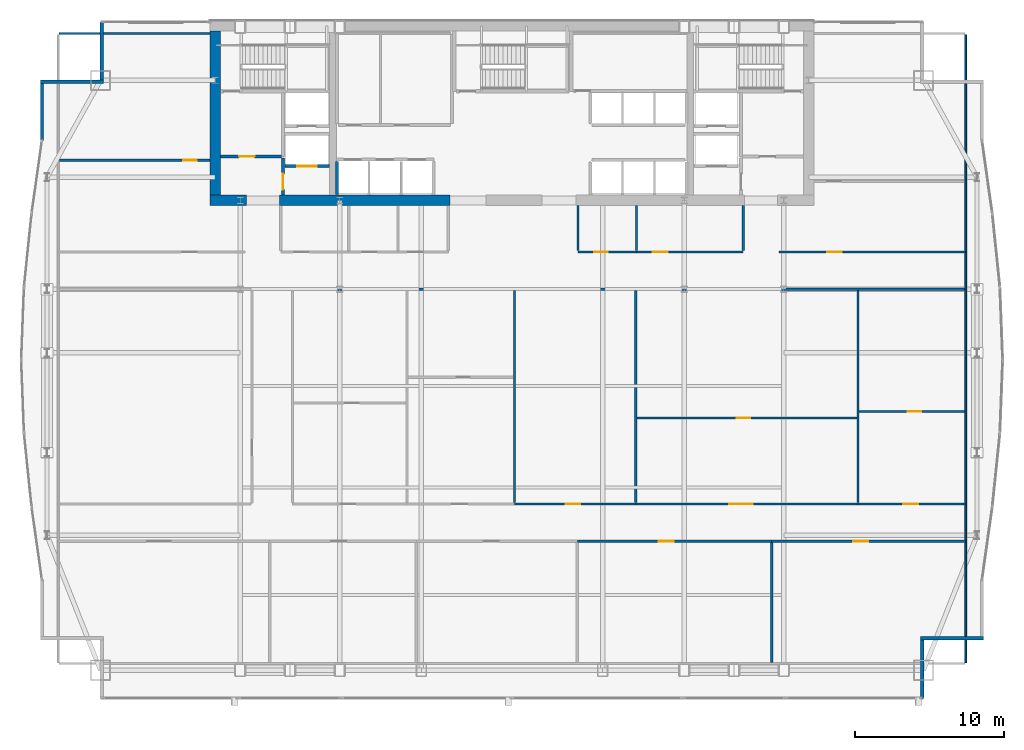
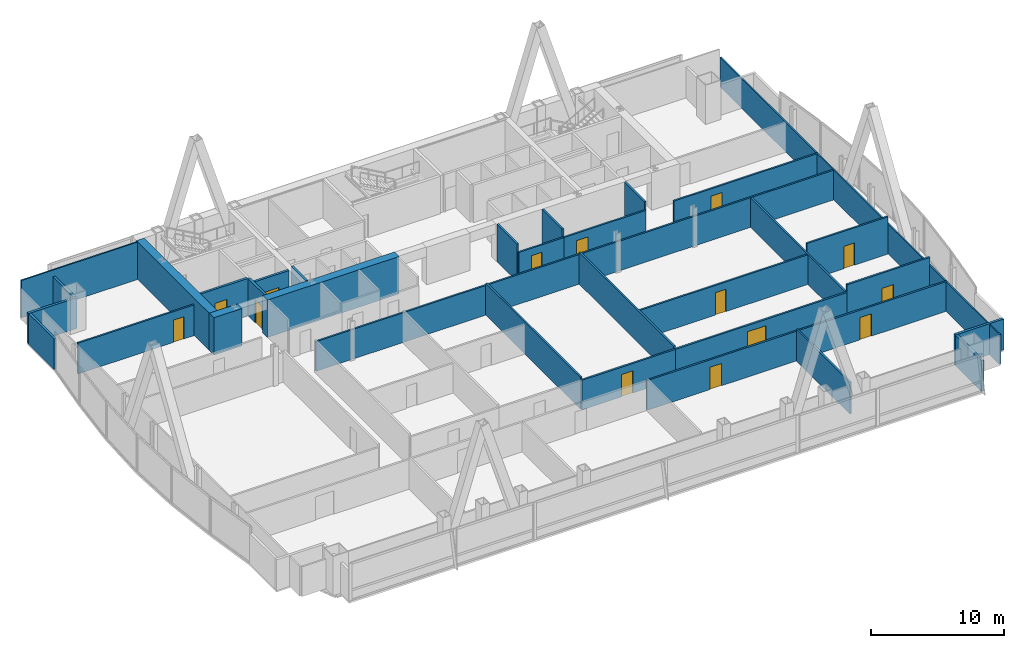
# One storey, part 26 of 30: 33 walls, 14 doors, 14 openings.
"""IFC4 building model written with IfcOpenShell, lengths in metres."""

from ifc_helpers import new_model, si_unit, direction, frame, frame_2d, origin, place, context, subcontext, project, spatial, rectangle, extrude, material, layer, layer_set, type_object, element, fill, save


model = new_model("IFC4")

# Units and contexts
model_context = context("Model", 3, precision=1e-05, world=origin(), true_north=direction((0.0, 1.0)))
body_context = subcontext(model_context, "Body", "Model", "MODEL_VIEW")
ifc_project = project(units=[si_unit("LENGTHUNIT", "METRE"), si_unit("AREAUNIT", "SQUARE_METRE"), si_unit("VOLUMEUNIT", "CUBIC_METRE"), si_unit("PLANEANGLEUNIT", "RADIAN"), si_unit("MASSUNIT", "GRAM", prefix="KILO")], contexts=[model_context])

# Site, building, storey
site_placement = place(None, origin())
site = spatial("IfcSite", under=ifc_project, at=site_placement, CompositionType="ELEMENT")
building_placement = place(site_placement, origin())
building = spatial("IfcBuilding", under=site, at=building_placement, Name="Khoronbel Lancet Exchange", CompositionType="ELEMENT")
storey_placement = place(building_placement, frame((0.0, 0.0, 147.0)))
storey = spatial("IfcBuildingStorey", under=building, at=storey_placement, Name="L36", CompositionType="ELEMENT", Elevation=147.0)

# Walls
ifc_material_1 = material(Name="Concrete C80/95", Category="concrete")
ifc_layer_1 = layer(ifc_material_1, 0.699951171875, Name="Concrete C80/95")
ifc_layer_set_1 = layer_set([ifc_layer_1], Name="Concrete C80/95")
wall_type_1 = type_object("IfcWallType", Name="WL-CW2", PredefinedType="SHEAR", material=ifc_layer_set_1)
wall_1_placement = place(storey_placement, frame((16.550048828125, 42.0, 0.0), z_axis=(0.0, 0.0, 1.0), x_axis=(0.0, 1.0, 0.0)))
element("IfcWall", 1, at=wall_1_placement, inside=storey, type_object=wall_type_1, Name="Level L36 rear core west shear wall", PredefinedType="SHEAR", context=body_context, shape_type="SweptSolid", body=[
    extrude(rectangle(XDim=11.0, YDim=0.699951171875, at=frame_2d((5.5, 0.0))), origin(), (0.0, 0.0, 1.0), 3.43994140625),
])
wall_2_placement = place(storey_placement, frame((18.64990234375, 41.64990234375, 0.0), z_axis=(0.0, 0.0, 1.0), x_axis=(-1.0, 0.0, 0.0)))
element("IfcWall", 2, at=wall_2_placement, inside=storey, type_object=wall_type_1, Name="Level L36 rear core south shear wall pier P1", PredefinedType="SHEAR", context=body_context, shape_type="SweptSolid", body=[
    extrude(rectangle(XDim=2.449951171875, YDim=0.699951171875, at=frame_2d((1.22509765625, 0.0))), origin(), (0.0, 0.0, 1.0), 3.43994140625),
])
wall_3_placement = place(storey_placement, frame((32.300048828125, 41.64990234375, 0.0), z_axis=(0.0, 0.0, 1.0), x_axis=(-1.0, 0.0, 0.0)))
element("IfcWall", 3, at=wall_3_placement, inside=storey, type_object=wall_type_1, Name="Level L36 rear core south shear wall pier P2", PredefinedType="SHEAR", context=body_context, shape_type="SweptSolid", body=[
    extrude(rectangle(XDim=11.449951171875, YDim=0.699951171875, at=frame_2d((5.72509765625, 0.0))), origin(), (0.0, 0.0, 1.0), 3.43994140625),
])
ifc_material_2 = material(Name="Precast concrete C40/50", Category="concrete")
ifc_layer_2 = layer(ifc_material_2, 0.25, Name="Precast concrete C40/50")
ifc_layer_set_2 = layer_set([ifc_layer_2], Name="Precast concrete C40/50")
wall_type_2 = type_object("IfcWallType", Name="WL-EXT250", PredefinedType="SOLIDWALL", material=ifc_layer_set_2)
wall_4_placement = place(storey_placement, frame((4.93994140625, 45.673583984375, 0.0), z_axis=(0.0, 0.0, 1.0), x_axis=(0.0, 1.0, 0.0)))
element("IfcWall", 4, at=wall_4_placement, inside=storey, type_object=wall_type_2, Name="Level L36 notched-corner limestone pier 10", PredefinedType="SOLIDWALL", context=body_context, shape_type="SweptSolid", body=[
    extrude(rectangle(XDim=3.826416015625, YDim=0.219970703125, at=frame_2d((1.9130859375, 0.0))), origin(), (0.0, 0.0, 1.0), 2.830078125),
])
wall_5_placement = place(storey_placement, frame((4.830078125, 49.610107421875, 0.0), z_axis=(0.0, 0.0, 1.0), x_axis=(1.0, 0.0, 0.0)))
element("IfcWall", 5, at=wall_5_placement, inside=storey, type_object=wall_type_2, Name="Level L36 notched-corner limestone pier 11", PredefinedType="SOLIDWALL", context=body_context, shape_type="SweptSolid", body=[
    extrude(rectangle(XDim=4.219970703125, YDim=0.219970703125, at=frame_2d((2.10986328125, 0.0))), origin(), (0.0, 0.0, 1.0), 2.830078125),
])
wall_6_placement = place(storey_placement, frame((8.93994140625, 49.719970703125, 0.0), z_axis=(0.0, 0.0, 1.0), x_axis=(0.0, 1.0, 0.0)))
element("IfcWall", 6, at=wall_6_placement, inside=storey, type_object=wall_type_2, Name="Level L36 notched-corner limestone pier 12", PredefinedType="SOLIDWALL", context=body_context, shape_type="SweptSolid", body=[
    extrude(rectangle(XDim=3.909912109375, YDim=0.219970703125, at=frame_2d((1.955078125, 0.0))), origin(), (0.0, 0.0, 1.0), 2.830078125),
])
wall_7_placement = place(storey_placement, frame((68.070068359375, 12.2900390625, 0.0), z_axis=(0.0, 0.0, 1.0), x_axis=(-1.0, 0.0, 0.0)))
element("IfcWall", 7, at=wall_7_placement, inside=storey, type_object=wall_type_2, Name="Level L36 notched-corner limestone pier 24", PredefinedType="SOLIDWALL", context=body_context, shape_type="SweptSolid", body=[
    extrude(rectangle(XDim=4.219970703125, YDim=0.219970703125, at=frame_2d((2.10986328125, 0.0))), origin(), (0.0, 0.0, 1.0), 2.830078125),
])
wall_8_placement = place(storey_placement, frame((63.9599609375, 12.179931640625, 0.0), z_axis=(0.0, 0.0, 1.0), x_axis=(0.0, -1.0, 0.0)))
element("IfcWall", 8, at=wall_8_placement, inside=storey, type_object=wall_type_2, Name="Level L36 notched-corner limestone pier 25", PredefinedType="SOLIDWALL", context=body_context, shape_type="SweptSolid", body=[
    extrude(rectangle(XDim=3.909912109375, YDim=0.219970703125, at=frame_2d((1.955078125, 0.0))), origin(), (0.0, 0.0, 1.0), 2.830078125),
])
ifc_material_3 = material(Name="Acoustic Metal-Stud & Mineral-Wool Gypsum Partition 120 mm", Category="gypsum")
ifc_layer_3 = layer(ifc_material_3, 0.1201171875, Name="Acoustic Metal-Stud & Mineral-Wool Gypsum Partition 120 mm")
ifc_layer_set_3 = layer_set([ifc_layer_3], Name="Acoustic Metal-Stud & Mineral-Wool Gypsum Partition 120 mm")
wall_type_3 = type_object("IfcWallType", Name="WL-PRT120", PredefinedType="PARTITIONING", material=ifc_layer_set_3)
for number, where, z_axis, x_axis, name in (
    (9, (40.8798828125, 38.280029296875, 0.0), (0.0, 0.0, 1.0), (0.0, 1.0, 0.0), "Level L36 interior partition PW-NP-0"),
    (10, (44.800048828125, 38.280029296875, 0.0), (0.0, 0.0, 1.0), (0.0, 1.0, 0.0), "Level L36 interior partition PW-NP-M"),
    (11, (51.949951171875, 38.280029296875, 0.0), (0.0, 0.0, 1.0), (0.0, 1.0, 0.0), "Level L36 interior partition PW-NP-1"),
):
    element("IfcWall", number, at=place(storey_placement, frame(where, z_axis=z_axis, x_axis=x_axis)), inside=storey, type_object=wall_type_3, Name=name, PredefinedType="PARTITIONING", context=body_context, shape_type="SweptSolid", body=[
        extrude(rectangle(XDim=3.02001953125, YDim=0.14990234375, at=frame_2d((1.510009765625, 0.0))), origin(), (0.0, 0.0, 1.0), 3.43994140625),
    ])

# Wall, opening, door
wall_9_placement = place(storey_placement, frame((6.094970703125, 44.35009765625, 0.0), z_axis=(0.0, 0.0, 1.0), x_axis=(1.0, 0.0, 0.0)))
wall_9 = element("IfcWall", 12, at=wall_9_placement, inside=storey, type_object=wall_type_3, Name="Level L36 interior partition PW-NW-H", PredefinedType="PARTITIONING", context=body_context, shape_type="SweptSolid", body=[
    extrude(rectangle(XDim=10.10498046875, YDim=0.14990234375, at=frame_2d((5.052490234375, 0.0))), origin(), (0.0, 0.0, 1.0), 2.830078125),
])
opening_1_placement = place(wall_9_placement, frame((8.320068359375, 0.0, 0.0)))
opening_1 = element("IfcOpeningElement", 13, at=opening_1_placement, cuts=wall_9, Name="Opening D5", PredefinedType="OPENING", context=body_context, shape_type="SweptSolid", body=[
    extrude(rectangle(XDim=0.89990234375, YDim=2.050048828125, at=frame_2d((0.449951171875, 1.02490234375))), frame((0.0, 0.0849609375, 0.0), z_axis=(0.0, -1.0, 0.0), x_axis=(1.0, 0.0, 0.0)), (0.0, 0.0, 1.0), 0.169921875),
])
ifc_material_4 = material(Name="Acoustic Timber Pantry & Support Door", Category="wood")
door_type_1 = type_object("IfcDoorType", Name="DR-D5", OperationType="NOTDEFINED", PredefinedType="DOOR", material=ifc_material_4)
door_1_placement = place(opening_1_placement, origin())
door_1 = element("IfcDoor", 14, at=door_1_placement, inside=storey, type_object=door_type_1, Name="NW north room door L36-1", OperationType="SINGLE_SWING_RIGHT", OverallHeight=2.050048828125, OverallWidth=0.89990234375, PredefinedType="DOOR", context=body_context, shape_type="SweptSolid", body=[
    extrude(rectangle(XDim=0.89990234375, YDim=2.050048828125, at=frame_2d((0.449951171875, 1.02490234375))), frame((0.0, 0.02490234375, 0.0), z_axis=(0.0, -1.0, 0.0), x_axis=(1.0, 0.0, 0.0)), (0.0, 0.0, 1.0), 0.050048828125),
])
fill(opening_1, door_1)

wall_10_placement = place(storey_placement, frame((44.831298828125, 27.06005859375, 0.0), z_axis=(0.0, 0.0, 1.0), x_axis=(1.0, 0.0, 0.0)))
wall_10 = element("IfcWall", 15, at=wall_10_placement, inside=storey, type_object=wall_type_3, Name="Level L36 interior partition PW-Z2N-H4", PredefinedType="PARTITIONING", context=body_context, shape_type="SweptSolid", body=[
    extrude(rectangle(XDim=14.736328125, YDim=0.14990234375, at=frame_2d((7.3681640625, 0.0))), origin(), (0.0, 0.0, 1.0), 2.72998046875),
])
opening_2_placement = place(wall_10_placement, frame((6.703369140625, 0.0, 0.0)))
opening_2 = element("IfcOpeningElement", 16, at=opening_2_placement, cuts=wall_10, Name="Opening D5", PredefinedType="OPENING", context=body_context, shape_type="SweptSolid", body=[
    extrude(rectangle(XDim=0.89990234375, YDim=2.050048828125, at=frame_2d((0.449951171875, 1.02490234375))), frame((0.0, 0.0849609375, 0.0), z_axis=(0.0, -1.0, 0.0), x_axis=(1.0, 0.0, 0.0)), (0.0, 0.0, 1.0), 0.169921875),
])
door_2_placement = place(opening_2_placement, origin())
door_2 = element("IfcDoor", 17, at=door_2_placement, inside=storey, type_object=door_type_1, Name="Z2N inner door 4 L36-1", OperationType="SINGLE_SWING_RIGHT", OverallHeight=2.050048828125, OverallWidth=0.89990234375, PredefinedType="DOOR", context=body_context, shape_type="SweptSolid", body=[
    extrude(rectangle(XDim=0.89990234375, YDim=2.050048828125, at=frame_2d((0.449951171875, 1.02490234375))), frame((0.0, 0.02490234375, 0.0), z_axis=(0.0, -1.0, 0.0), x_axis=(1.0, 0.0, 0.0)), (0.0, 0.0, 1.0), 0.050048828125),
])
fill(opening_2, door_2)

wall_11_placement = place(storey_placement, frame((59.7275390625, 27.491943359375, 0.0), z_axis=(0.0, 0.0, 1.0), x_axis=(1.0, 0.0, 0.0)))
wall_11 = element("IfcWall", 18, at=wall_11_placement, inside=storey, type_object=wall_type_3, Name="Level L36 interior partition PW-Z2N-H5", PredefinedType="PARTITIONING", context=body_context, shape_type="SweptSolid", body=[
    extrude(rectangle(XDim=7.077392578125, YDim=0.14990234375, at=frame_2d((3.53857421875, 0.0))), origin(), (0.0, 0.0, 1.0), 3.43994140625),
])
opening_3_placement = place(wall_11_placement, frame((3.25, 0.0, 0.0)))
opening_3 = element("IfcOpeningElement", 19, at=opening_3_placement, cuts=wall_11, Name="Opening D5", PredefinedType="OPENING", context=body_context, shape_type="SweptSolid", body=[
    extrude(rectangle(XDim=0.89990234375, YDim=2.050048828125, at=frame_2d((0.449951171875, 1.02490234375))), frame((0.0, 0.0849609375, 0.0), z_axis=(0.0, -1.0, 0.0), x_axis=(1.0, 0.0, 0.0)), (0.0, 0.0, 1.0), 0.169921875),
])
door_3_placement = place(opening_3_placement, origin())
door_3 = element("IfcDoor", 20, at=door_3_placement, inside=storey, type_object=door_type_1, Name="Z2N inner door 5 L36-1", OperationType="SINGLE_SWING_RIGHT", OverallHeight=2.050048828125, OverallWidth=0.89990234375, PredefinedType="DOOR", context=body_context, shape_type="SweptSolid", body=[
    extrude(rectangle(XDim=0.89990234375, YDim=2.050048828125, at=frame_2d((0.449951171875, 1.02490234375))), frame((0.0, 0.02490234375, 0.0), z_axis=(0.0, -1.0, 0.0), x_axis=(1.0, 0.0, 0.0)), (0.0, 0.0, 1.0), 0.050048828125),
])
fill(opening_3, door_3)

# Walls
wall_12_placement = place(storey_placement, frame((66.8701171875, 10.6650390625, 0.0), z_axis=(0.0, 0.0, 1.0), x_axis=(0.0, 1.0, 0.0)))
element("IfcWall", 21, at=wall_12_placement, inside=storey, type_object=wall_type_3, Name="Level L36 interior partition PW-LIN-E", PredefinedType="PARTITIONING", context=body_context, shape_type="SweptSolid", body=[
    extrude(rectangle(XDim=42.10986328125, YDim=0.1201171875, at=frame_2d((21.054931640625, 0.0))), origin(), (0.0, 0.0, 1.0), 2.72998046875),
])
wall_13_placement = place(storey_placement, frame((6.094970703125, 52.840087890625, 0.0), z_axis=(0.0, 0.0, 1.0), x_axis=(1.0, 0.0, 0.0)))
element("IfcWall", 22, at=wall_13_placement, inside=storey, type_object=wall_type_3, Name="Level L36 interior partition PW-LIN-NW", PredefinedType="PARTITIONING", context=body_context, shape_type="SweptSolid", body=[
    extrude(rectangle(XDim=10.10498046875, YDim=0.1201171875, at=frame_2d((5.052490234375, 0.0))), origin(), (0.0, 0.0, 1.0), 3.43994140625),
])

# Wall, opening, door
ifc_material_5 = material(Name="Fire-Rated Twin-Stud Acoustic Gypsum Partition 150 mm", Category="gypsum")
ifc_layer_4 = layer(ifc_material_5, 0.14990234375, Name="Fire-Rated Twin-Stud Acoustic Gypsum Partition 150 mm")
ifc_layer_set_4 = layer_set([ifc_layer_4], Name="Fire-Rated Twin-Stud Acoustic Gypsum Partition 150 mm")
wall_type_4 = type_object("IfcWallType", Name="WL-PRT150C", PredefinedType="PARTITIONING", material=ifc_layer_set_4)
wall_14_placement = place(storey_placement, frame((40.8798828125, 38.199951171875, 0.0), z_axis=(0.0, 0.0, 1.0), x_axis=(1.0, 0.0, 0.0)))
wall_14 = element("IfcWall", 23, at=wall_14_placement, inside=storey, type_object=wall_type_4, Name="Level L36 interior partition PW-NP-S1", PredefinedType="PARTITIONING", context=body_context, shape_type="SweptSolid", body=[
    extrude(rectangle(XDim=3.920166015625, YDim=0.14990234375, at=frame_2d((1.9599609375, 0.0))), origin(), (0.0, 0.0, 1.0), 2.72998046875),
])
opening_4_placement = place(wall_14_placement, frame((1.10009765625, 0.0, 0.0)))
opening_4 = element("IfcOpeningElement", 24, at=opening_4_placement, cuts=wall_14, Name="Opening D5", PredefinedType="OPENING", context=body_context, shape_type="SweptSolid", body=[
    extrude(rectangle(XDim=0.89990234375, YDim=2.050048828125, at=frame_2d((0.449951171875, 1.02490234375))), frame((0.0, 0.0849609375, 0.0), z_axis=(0.0, -1.0, 0.0), x_axis=(1.0, 0.0, 0.0)), (0.0, 0.0, 1.0), 0.169921875),
])
door_4_placement = place(opening_4_placement, origin())
door_4 = element("IfcDoor", 25, at=door_4_placement, inside=storey, type_object=door_type_1, Name="Floor refreshment pantry door L36-1", OperationType="SINGLE_SWING_RIGHT", OverallHeight=2.050048828125, OverallWidth=0.89990234375, PredefinedType="DOOR", context=body_context, shape_type="SweptSolid", body=[
    extrude(rectangle(XDim=0.89990234375, YDim=2.050048828125, at=frame_2d((0.449951171875, 1.02490234375))), frame((0.0, 0.02490234375, 0.0), z_axis=(0.0, -1.0, 0.0), x_axis=(1.0, 0.0, 0.0)), (0.0, 0.0, 1.0), 0.050048828125),
])
fill(opening_4, door_4)

wall_15_placement = place(storey_placement, frame((44.800048828125, 38.199951171875, 0.0), z_axis=(0.0, 0.0, 1.0), x_axis=(1.0, 0.0, 0.0)))
wall_15 = element("IfcWall", 26, at=wall_15_placement, inside=storey, type_object=wall_type_4, Name="Level L36 interior partition PW-NP-S2", PredefinedType="PARTITIONING", context=body_context, shape_type="SweptSolid", body=[
    extrude(rectangle(XDim=7.14990234375, YDim=0.14990234375, at=frame_2d((3.574951171875, 0.0))), origin(), (0.0, 0.0, 1.0), 2.72998046875),
])
opening_5_placement = place(wall_15_placement, frame((1.10009765625, 0.0, 0.0)))
opening_5 = element("IfcOpeningElement", 27, at=opening_5_placement, cuts=wall_15, Name="Opening D2", PredefinedType="OPENING", context=body_context, shape_type="SweptSolid", body=[
    extrude(rectangle(XDim=1.0, YDim=2.050048828125, at=frame_2d((0.5, 1.02490234375))), frame((0.0, 0.0849609375, 0.0), z_axis=(0.0, -1.0, 0.0), x_axis=(1.0, 0.0, 0.0)), (0.0, 0.0, 1.0), 0.169921875),
])
ifc_material_6 = material(Name="Acoustic Veneered Timber & Bronze Frame Door", Category="wood")
door_type_2 = type_object("IfcDoorType", Name="DR-D2", OperationType="NOTDEFINED", PredefinedType="DOOR", material=ifc_material_6)
door_5_placement = place(opening_5_placement, origin())
door_5 = element("IfcDoor", 28, at=door_5_placement, inside=storey, type_object=door_type_2, Name="Floor store door L36-1", OperationType="SINGLE_SWING_LEFT", OverallHeight=2.050048828125, OverallWidth=1.0, PredefinedType="DOOR", context=body_context, shape_type="SweptSolid", body=[
    extrude(rectangle(XDim=1.0, YDim=2.050048828125, at=frame_2d((0.5, 1.02490234375))), frame((0.0, 0.02490234375, 0.0), z_axis=(0.0, -1.0, 0.0), x_axis=(1.0, 0.0, 0.0)), (0.0, 0.0, 1.0), 0.050048828125),
])
fill(opening_5, door_5)

wall_16_placement = place(storey_placement, frame((54.35009765625, 38.199951171875, 0.0), z_axis=(0.0, 0.0, 1.0), x_axis=(1.0, 0.0, 0.0)))
wall_16 = element("IfcWall", 29, at=wall_16_placement, inside=storey, type_object=wall_type_4, Name="Level L36 interior partition PW-NE-S", PredefinedType="PARTITIONING", context=body_context, shape_type="SweptSolid", body=[
    extrude(rectangle(XDim=12.52001953125, YDim=0.14990234375, at=frame_2d((6.260009765625, 0.0))), origin(), (0.0, 0.0, 1.0), 2.72998046875),
])
opening_6_placement = place(wall_16_placement, frame((3.25, 0.0, 0.0)))
opening_6 = element("IfcOpeningElement", 30, at=opening_6_placement, cuts=wall_16, Name="Opening D1", PredefinedType="OPENING", context=body_context, shape_type="SweptSolid", body=[
    extrude(rectangle(XDim=0.949951171875, YDim=2.050048828125, at=frame_2d((0.47509765625, 1.02490234375))), frame((0.0, 0.0849609375, 0.0), z_axis=(0.0, -1.0, 0.0), x_axis=(1.0, 0.0, 0.0)), (0.0, 0.0, 1.0), 0.169921875),
])
door_type_3 = type_object("IfcDoorType", Name="DR-D1", OperationType="NOTDEFINED", PredefinedType="DOOR", material=ifc_material_6)
door_6_placement = place(opening_6_placement, origin())
door_6 = element("IfcDoor", 31, at=door_6_placement, inside=storey, type_object=door_type_3, Name="NE corner room door L36-1", OperationType="SINGLE_SWING_LEFT", OverallHeight=2.050048828125, OverallWidth=0.949951171875, PredefinedType="DOOR", context=body_context, shape_type="SweptSolid", body=[
    extrude(rectangle(XDim=0.949951171875, YDim=2.050048828125, at=frame_2d((0.47509765625, 1.02490234375))), frame((0.0, 0.02490234375, 0.0), z_axis=(0.0, -1.0, 0.0), x_axis=(1.0, 0.0, 0.0)), (0.0, 0.0, 1.0), 0.050048828125),
])
fill(opening_6, door_6)

# Walls
wall_17_placement = place(storey_placement, frame((53.86376953125, 10.6650390625, 0.0), z_axis=(0.0, 0.0, 1.0), x_axis=(0.0, 1.0, 0.0)))
element("IfcWall", 32, at=wall_17_placement, inside=storey, type_object=wall_type_4, Name="Level L36 interior partition PW-Z2S-V4", PredefinedType="PARTITIONING", context=body_context, shape_type="SweptSolid", body=[
    extrude(rectangle(XDim=8.050048828125, YDim=0.14990234375, at=frame_2d((4.02490234375, 0.0))), origin(), (0.0, 0.0, 1.0), 2.929931640625),
])
wall_18_placement = place(storey_placement, frame((21.81005859375, 35.699951171875, 0.0), z_axis=(0.0, 0.0, 1.0), x_axis=(1.0, 0.0, 0.0)))
element("IfcWall", 33, at=wall_18_placement, inside=storey, type_object=wall_type_4, Name="Level L36 interior partition PW-Z2-EN", PredefinedType="PARTITIONING", context=body_context, shape_type="SweptSolid", body=[
    extrude(rectangle(XDim=44.994873046875, YDim=0.14990234375, at=frame_2d((22.49755859375, 0.0))), origin(), (0.0, 0.0, 1.0), 2.72998046875),
])
for number, where, z_axis, x_axis, name in (
    (34, (36.626220703125, 21.385009765625, 0.0), (0.0, 0.0, 1.0), (0.0, 1.0, 0.0), "Level L36 interior partition PW-Z2N-V2"),
    (35, (44.75146484375, 21.385009765625, 0.0), (0.0, 0.0, 1.0), (0.0, 1.0, 0.0), "Level L36 interior partition PW-Z2N-V3"),
):
    element("IfcWall", number, at=place(storey_placement, frame(where, z_axis=z_axis, x_axis=x_axis)), inside=storey, type_object=wall_type_4, Name=name, PredefinedType="PARTITIONING", context=body_context, shape_type="SweptSolid", body=[
        extrude(rectangle(XDim=14.235107421875, YDim=0.14990234375, at=frame_2d((7.11767578125, 0.0))), origin(), (0.0, 0.0, 1.0), 2.929931640625),
    ])
wall_19_placement = place(storey_placement, frame((59.647705078125, 21.385009765625, 0.0), z_axis=(0.0, 0.0, 1.0), x_axis=(0.0, 1.0, 0.0)))
element("IfcWall", 36, at=wall_19_placement, inside=storey, type_object=wall_type_4, Name="Level L36 interior partition PW-Z2N-V4", PredefinedType="PARTITIONING", context=body_context, shape_type="SweptSolid", body=[
    extrude(rectangle(XDim=14.235107421875, YDim=0.14990234375, at=frame_2d((7.11767578125, 0.0))), origin(), (0.0, 0.0, 1.0), 2.72998046875),
])

# Wall, opening, door
ifc_material_7 = material(Name="Fire-Rated Twin-Stud Acoustic Gypsum Partition 160 mm", Category="gypsum")
ifc_layer_5 = layer(ifc_material_7, 0.159912109375, Name="Fire-Rated Twin-Stud Acoustic Gypsum Partition 160 mm")
ifc_layer_set_5 = layer_set([ifc_layer_5], Name="Fire-Rated Twin-Stud Acoustic Gypsum Partition 160 mm")
wall_type_5 = type_object("IfcWallType", Name="WL-PRT160C", PredefinedType="PARTITIONING", material=ifc_layer_set_5)
wall_20_placement = place(storey_placement, frame((40.83203125, 18.800048828125, 0.0), z_axis=(0.0, 0.0, 1.0), x_axis=(1.0, 0.0, 0.0)))
wall_20 = element("IfcWall", 37, at=wall_20_placement, inside=storey, type_object=wall_type_5, Name="Level L36 interior partition PW-Z2S-COR4", PredefinedType="PARTITIONING", context=body_context, shape_type="SweptSolid", body=[
    extrude(rectangle(XDim=13.03173828125, YDim=0.159912109375, at=frame_2d((6.515869140625, 0.0))), origin(), (0.0, 0.0, 1.0), 2.72998046875),
])
opening_7_placement = place(wall_20_placement, frame((5.473388671875, 0.0, 0.0)))
opening_7 = element("IfcOpeningElement", 38, at=opening_7_placement, cuts=wall_20, Name="Opening D2", PredefinedType="OPENING", context=body_context, shape_type="SweptSolid", body=[
    extrude(rectangle(XDim=1.0, YDim=2.050048828125, at=frame_2d((0.5, 1.02490234375))), frame((0.0, 0.08984375, 0.0), z_axis=(0.0, -1.0, 0.0), x_axis=(1.0, 0.0, 0.0)), (0.0, 0.0, 1.0), 0.179931640625),
])
door_7_placement = place(opening_7_placement, origin())
door_7 = element("IfcDoor", 39, at=door_7_placement, inside=storey, type_object=door_type_2, Name="Z2S bay 4 door L36-1", OperationType="SINGLE_SWING_RIGHT", OverallHeight=2.050048828125, OverallWidth=1.0, PredefinedType="DOOR", context=body_context, shape_type="SweptSolid", body=[
    extrude(rectangle(XDim=1.0, YDim=2.050048828125, at=frame_2d((0.5, 1.02490234375))), frame((0.0, 0.02490234375, 0.0), z_axis=(0.0, -1.0, 0.0), x_axis=(1.0, 0.0, 0.0)), (0.0, 0.0, 1.0), 0.050048828125),
])
fill(opening_7, door_7)

wall_21_placement = place(storey_placement, frame((53.86376953125, 18.800048828125, 0.0), z_axis=(0.0, 0.0, 1.0), x_axis=(1.0, 0.0, 0.0)))
wall_21 = element("IfcWall", 40, at=wall_21_placement, inside=storey, type_object=wall_type_5, Name="Level L36 interior partition PW-Z2S-COR5", PredefinedType="PARTITIONING", context=body_context, shape_type="SweptSolid", body=[
    extrude(rectangle(XDim=13.00634765625, YDim=0.159912109375, at=frame_2d((6.503173828125, 0.0))), origin(), (0.0, 0.0, 1.0), 2.72998046875),
])
opening_8_placement = place(wall_21_placement, frame((5.462646484375, 0.0, 0.0)))
opening_8 = element("IfcOpeningElement", 41, at=opening_8_placement, cuts=wall_21, Name="Opening D2", PredefinedType="OPENING", context=body_context, shape_type="SweptSolid", body=[
    extrude(rectangle(XDim=1.0, YDim=2.050048828125, at=frame_2d((0.5, 1.02490234375))), frame((0.0, 0.08984375, 0.0), z_axis=(0.0, -1.0, 0.0), x_axis=(1.0, 0.0, 0.0)), (0.0, 0.0, 1.0), 0.179931640625),
])
door_8_placement = place(opening_8_placement, origin())
door_8 = element("IfcDoor", 42, at=door_8_placement, inside=storey, type_object=door_type_2, Name="Z2S bay 5 door L36-1", OperationType="SINGLE_SWING_LEFT", OverallHeight=2.050048828125, OverallWidth=1.0, PredefinedType="DOOR", context=body_context, shape_type="SweptSolid", body=[
    extrude(rectangle(XDim=1.0, YDim=2.050048828125, at=frame_2d((0.5, 1.02490234375))), frame((0.0, 0.02490234375, 0.0), z_axis=(0.0, -1.0, 0.0), x_axis=(1.0, 0.0, 0.0)), (0.0, 0.0, 1.0), 0.050048828125),
])
fill(opening_8, door_8)

wall_22_placement = place(storey_placement, frame((36.626220703125, 21.300048828125, 0.0), z_axis=(0.0, 0.0, 1.0), x_axis=(1.0, 0.0, 0.0)))
wall_22 = element("IfcWall", 43, at=wall_22_placement, inside=storey, type_object=wall_type_5, Name="Level L36 interior partition PW-Z2N-COR3", PredefinedType="PARTITIONING", context=body_context, shape_type="SweptSolid", body=[
    extrude(rectangle(XDim=8.125244140625, YDim=0.159912109375, at=frame_2d((4.0625, 0.0))), origin(), (0.0, 0.0, 1.0), 2.72998046875),
])
opening_9_placement = place(wall_22_placement, frame((3.41259765625, 0.0, 0.0)))
opening_9 = element("IfcOpeningElement", 44, at=opening_9_placement, cuts=wall_22, Name="Opening D2", PredefinedType="OPENING", context=body_context, shape_type="SweptSolid", body=[
    extrude(rectangle(XDim=1.0, YDim=2.050048828125, at=frame_2d((0.5, 1.02490234375))), frame((0.0, 0.08984375, 0.0), z_axis=(0.0, -1.0, 0.0), x_axis=(1.0, 0.0, 0.0)), (0.0, 0.0, 1.0), 0.179931640625),
])
door_9_placement = place(opening_9_placement, origin())
door_9 = element("IfcDoor", 45, at=door_9_placement, inside=storey, type_object=door_type_2, Name="Z2N bay 3 door L36-1", OperationType="SINGLE_SWING_LEFT", OverallHeight=2.050048828125, OverallWidth=1.0, PredefinedType="DOOR", context=body_context, shape_type="SweptSolid", body=[
    extrude(rectangle(XDim=1.0, YDim=2.050048828125, at=frame_2d((0.5, 1.02490234375))), frame((0.0, 0.02490234375, 0.0), z_axis=(0.0, -1.0, 0.0), x_axis=(1.0, 0.0, 0.0)), (0.0, 0.0, 1.0), 0.050048828125),
])
fill(opening_9, door_9)

wall_23_placement = place(storey_placement, frame((44.75146484375, 21.300048828125, 0.0), z_axis=(0.0, 0.0, 1.0), x_axis=(1.0, 0.0, 0.0)))
wall_23 = element("IfcWall", 46, at=wall_23_placement, inside=storey, type_object=wall_type_5, Name="Level L36 interior partition PW-Z2N-COR4", PredefinedType="PARTITIONING", context=body_context, shape_type="SweptSolid", body=[
    extrude(rectangle(XDim=14.896240234375, YDim=0.159912109375, at=frame_2d((7.4482421875, 0.0))), origin(), (0.0, 0.0, 1.0), 2.72998046875),
])
opening_10_placement = place(wall_23_placement, frame((6.25634765625, 0.0, 0.0)))
opening_10 = element("IfcOpeningElement", 47, at=opening_10_placement, cuts=wall_23, Name="Opening D3", PredefinedType="OPENING", context=body_context, shape_type="SweptSolid", body=[
    extrude(rectangle(XDim=1.60009765625, YDim=2.14990234375, at=frame_2d((0.800048828125, 1.074951171875))), frame((0.0, 0.08984375, 0.0), z_axis=(0.0, -1.0, 0.0), x_axis=(1.0, 0.0, 0.0)), (0.0, 0.0, 1.0), 0.179931640625),
])
ifc_material_8 = material(Name="Glazed Bronze-Framed Double Suite Door", Category="aluminium")
door_type_4 = type_object("IfcDoorType", Name="DR-D3", OperationType="NOTDEFINED", PredefinedType="DOOR", material=ifc_material_8)
door_10_placement = place(opening_10_placement, origin())
door_10 = element("IfcDoor", 48, at=door_10_placement, inside=storey, type_object=door_type_4, Name="Z2N bay 4 door L36-1", OperationType="DOUBLE_DOOR_SINGLE_SWING", OverallHeight=2.14990234375, OverallWidth=1.60009765625, PredefinedType="DOOR", context=body_context, shape_type="SweptSolid", body=[
    extrude(rectangle(XDim=1.60009765625, YDim=2.14990234375, at=frame_2d((0.800048828125, 1.074951171875))), frame((0.0, 0.02490234375, 0.0), z_axis=(0.0, -1.0, 0.0), x_axis=(1.0, 0.0, 0.0)), (0.0, 0.0, 1.0), 0.050048828125),
])
fill(opening_10, door_10)

wall_24_placement = place(storey_placement, frame((59.647705078125, 21.300048828125, 0.0), z_axis=(0.0, 0.0, 1.0), x_axis=(1.0, 0.0, 0.0)))
wall_24 = element("IfcWall", 49, at=wall_24_placement, inside=storey, type_object=wall_type_5, Name="Level L36 interior partition PW-Z2N-COR5", PredefinedType="PARTITIONING", context=body_context, shape_type="SweptSolid", body=[
    extrude(rectangle(XDim=7.222412109375, YDim=0.159912109375, at=frame_2d((3.611328125, 0.0))), origin(), (0.0, 0.0, 1.0), 3.43994140625),
])
opening_11_placement = place(wall_24_placement, frame((3.033447265625, 0.0, 0.0)))
opening_11 = element("IfcOpeningElement", 50, at=opening_11_placement, cuts=wall_24, Name="Opening D2", PredefinedType="OPENING", context=body_context, shape_type="SweptSolid", body=[
    extrude(rectangle(XDim=1.0, YDim=2.050048828125, at=frame_2d((0.5, 1.02490234375))), frame((0.0, 0.08984375, 0.0), z_axis=(0.0, -1.0, 0.0), x_axis=(1.0, 0.0, 0.0)), (0.0, 0.0, 1.0), 0.179931640625),
])
door_11_placement = place(opening_11_placement, origin())
door_11 = element("IfcDoor", 51, at=door_11_placement, inside=storey, type_object=door_type_2, Name="Z2N bay 5 door L36-1", OperationType="SINGLE_SWING_LEFT", OverallHeight=2.050048828125, OverallWidth=1.0, PredefinedType="DOOR", context=body_context, shape_type="SweptSolid", body=[
    extrude(rectangle(XDim=1.0, YDim=2.050048828125, at=frame_2d((0.5, 1.02490234375))), frame((0.0, 0.02490234375, 0.0), z_axis=(0.0, -1.0, 0.0), x_axis=(1.0, 0.0, 0.0)), (0.0, 0.0, 1.0), 0.050048828125),
])
fill(opening_11, door_11)

ifc_material_9 = material(Name="Autoclaved Aerated Concrete Blockwork 200 mm", Category="masonry")
ifc_layer_6 = layer(ifc_material_9, 0.199951171875, Name="Autoclaved Aerated Concrete Blockwork 200 mm")
ifc_layer_set_6 = layer_set([ifc_layer_6], Name="Autoclaved Aerated Concrete Blockwork 200 mm")
wall_type_6 = type_object("IfcWallType", Name="WL-PRT200", PredefinedType="PARTITIONING", material=ifc_layer_set_6)
wall_25_placement = place(storey_placement, frame((24.2099609375, 43.949951171875, 0.0), z_axis=(0.0, 0.0, 1.0), x_axis=(-1.0, 0.0, 0.0)))
wall_25 = element("IfcWall", 52, at=wall_25_placement, inside=storey, type_object=wall_type_6, Name="Level L36 elevator hoistway landing front wall SVLW", PredefinedType="PARTITIONING", context=body_context, shape_type="SweptSolid", body=[
    extrude(rectangle(XDim=2.969970703125, YDim=0.199951171875, at=frame_2d((1.48486328125, 0.0))), origin(), (0.0, 0.0, 1.0), 3.43994140625),
])
opening_12_placement = place(wall_25_placement, frame((0.860107421875, 0.0, 0.0)))
opening_12 = element("IfcOpeningElement", 53, at=opening_12_placement, cuts=wall_25, Name="Opening LD-SVL1", PredefinedType="OPENING", context=body_context, shape_type="SweptSolid", body=[
    extrude(rectangle(XDim=1.300048828125, YDim=2.179931640625, at=frame_2d((0.64990234375, 1.08984375))), frame((0.0, 0.10986328125, 0.0), z_axis=(0.0, -1.0, 0.0), x_axis=(1.0, 0.0, 0.0)), (0.0, 0.0, 1.0), 0.219970703125),
])
ifc_material_10 = material(Name="Heavy-Duty Bi-Parting Goods Lift Landing Door", Category="steel")
door_type_5 = type_object("IfcDoorType", Name="DR-LD-SVL", OperationType="NOTDEFINED", PredefinedType="DOOR", material=ifc_material_10)
door_12_placement = place(opening_12_placement, origin())
door_12 = element("IfcDoor", 54, at=door_12_placement, inside=storey, type_object=door_type_5, Name="Elevator landing sliding door LD-SVL1 L36", OperationType="SLIDING_TO_LEFT", OverallHeight=2.179931640625, OverallWidth=1.300048828125, PredefinedType="DOOR", context=body_context, shape_type="SweptSolid", body=[
    extrude(rectangle(XDim=1.300048828125, YDim=2.179931640625, at=frame_2d((0.64990234375, 1.08984375))), frame((0.0, 0.02490234375, 0.0), z_axis=(0.0, -1.0, 0.0), x_axis=(1.0, 0.0, 0.0)), (0.0, 0.0, 1.0), 0.050048828125),
])
fill(opening_12, door_12)

wall_26_placement = place(storey_placement, frame((16.89990234375, 44.60009765625, 0.0), z_axis=(0.0, 0.0, 1.0), x_axis=(1.0, 0.0, 0.0)))
wall_26 = element("IfcWall", 55, at=wall_26_placement, inside=storey, type_object=wall_type_6, Name="Level L36 interior partition CW-FFLW-S", PredefinedType="PARTITIONING", context=body_context, shape_type="SweptSolid", body=[
    extrude(rectangle(XDim=4.10009765625, YDim=0.199951171875, at=frame_2d((2.050048828125, 0.0))), origin(), (0.0, 0.0, 1.0), 3.43994140625),
])
opening_13_placement = place(wall_26_placement, frame((1.25, 0.0, 0.0)))
opening_13 = element("IfcOpeningElement", 56, at=opening_13_placement, cuts=wall_26, Name="Opening FD1", PredefinedType="OPENING", context=body_context, shape_type="SweptSolid", body=[
    extrude(rectangle(XDim=1.050048828125, YDim=2.14990234375, at=frame_2d((0.52490234375, 1.074951171875))), frame((0.0, 0.10986328125, 0.0), z_axis=(0.0, -1.0, 0.0), x_axis=(1.0, 0.0, 0.0)), (0.0, 0.0, 1.0), 0.219970703125),
])
ifc_material_11 = material(Name="Fire-Rated Painted Steel Door Assembly", Category="steel")
door_type_6 = type_object("IfcDoorType", Name="DR-FD1", OperationType="NOTDEFINED", PredefinedType="DOOR", material=ifc_material_11)
door_13_placement = place(opening_13_placement, origin())
door_13 = element("IfcDoor", 57, at=door_13_placement, inside=storey, type_object=door_type_6, Name="West firefighting lobby FD90S door L36-1", OperationType="SINGLE_SWING_RIGHT", OverallHeight=2.14990234375, OverallWidth=1.050048828125, PredefinedType="DOOR", context=body_context, shape_type="SweptSolid", body=[
    extrude(rectangle(XDim=1.050048828125, YDim=2.14990234375, at=frame_2d((0.52490234375, 1.074951171875))), frame((0.0, 0.02490234375, 0.0), z_axis=(0.0, -1.0, 0.0), x_axis=(1.0, 0.0, 0.0)), (0.0, 0.0, 1.0), 0.050048828125),
])
fill(opening_13, door_13)

wall_27_placement = place(storey_placement, frame((21.10009765625, 42.0, 0.0), z_axis=(0.0, 0.0, 1.0), x_axis=(0.0, 1.0, 0.0)))
wall_27 = element("IfcWall", 58, at=wall_27_placement, inside=storey, type_object=wall_type_6, Name="Level L36 interior partition CW-SVLW-W", PredefinedType="PARTITIONING", context=body_context, shape_type="SweptSolid", body=[
    extrude(rectangle(XDim=2.4951171875, YDim=0.199951171875, at=frame_2d((1.24755859375, 0.0))), origin(), (0.0, 0.0, 1.0), 3.43994140625),
])
opening_14_placement = place(wall_27_placement, frame((0.3798828125, 0.0, 0.0)))
opening_14 = element("IfcOpeningElement", 59, at=opening_14_placement, cuts=wall_27, Name="Opening FD1", PredefinedType="OPENING", context=body_context, shape_type="SweptSolid", body=[
    extrude(rectangle(XDim=1.050048828125, YDim=2.14990234375, at=frame_2d((0.52490234375, 1.074951171875))), frame((0.0, 0.10986328125, 0.0), z_axis=(0.0, -1.0, 0.0), x_axis=(1.0, 0.0, 0.0)), (0.0, 0.0, 1.0), 0.219970703125),
])
door_14_placement = place(opening_14_placement, origin())
door_14 = element("IfcDoor", 60, at=door_14_placement, inside=storey, type_object=door_type_6, Name="West service lift lobby door L36-1", OperationType="SINGLE_SWING_LEFT", OverallHeight=2.14990234375, OverallWidth=1.050048828125, PredefinedType="DOOR", context=body_context, shape_type="SweptSolid", body=[
    extrude(rectangle(XDim=1.050048828125, YDim=2.14990234375, at=frame_2d((0.52490234375, 1.074951171875))), frame((0.0, 0.02490234375, 0.0), z_axis=(0.0, -1.0, 0.0), x_axis=(1.0, 0.0, 0.0)), (0.0, 0.0, 1.0), 0.050048828125),
])
fill(opening_14, door_14)

# Wall
wall_28_placement = place(storey_placement, frame((24.699951171875, 42.050048828125, 0.0), z_axis=(0.0, 0.0, 1.0), x_axis=(0.0, 1.0, 0.0)))
element("IfcWall", 61, at=wall_28_placement, inside=storey, type_object=wall_type_6, Name="Level L36 interior partition CW-PM-W", PredefinedType="PARTITIONING", context=body_context, shape_type="SweptSolid", body=[
    extrude(rectangle(XDim=2.199951171875, YDim=0.199951171875, at=frame_2d((1.10009765625, 0.0))), origin(), (0.0, 0.0, 1.0), 3.43994140625),
])

save(model, "model.ifc")
